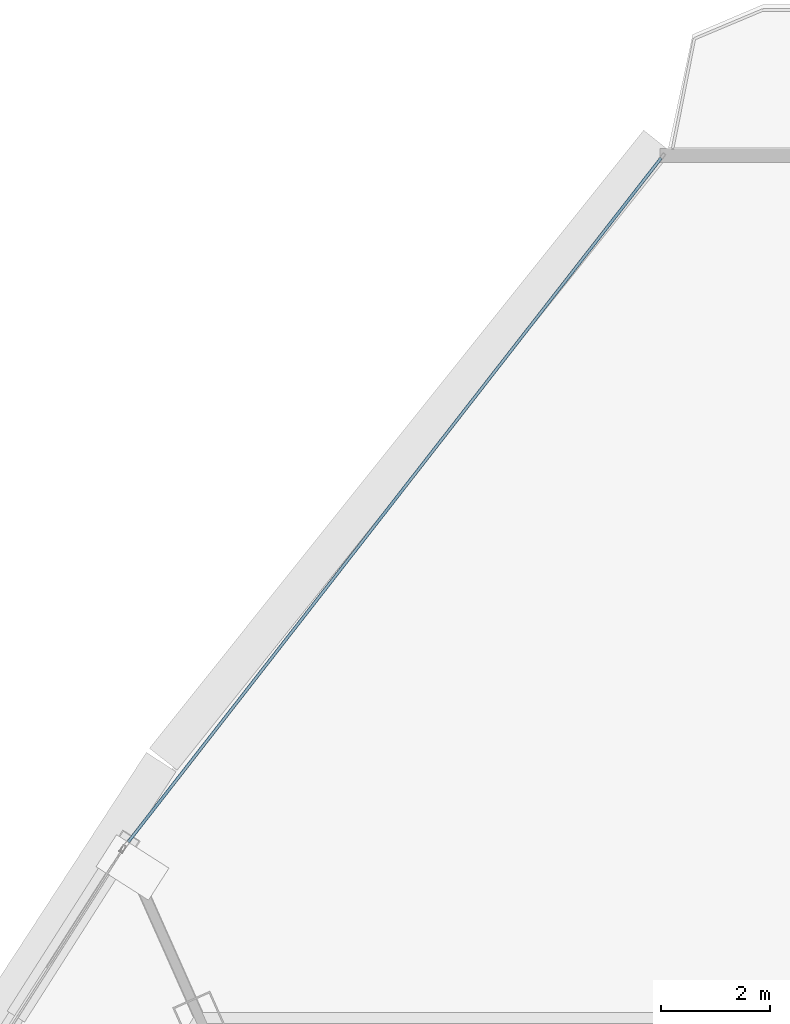
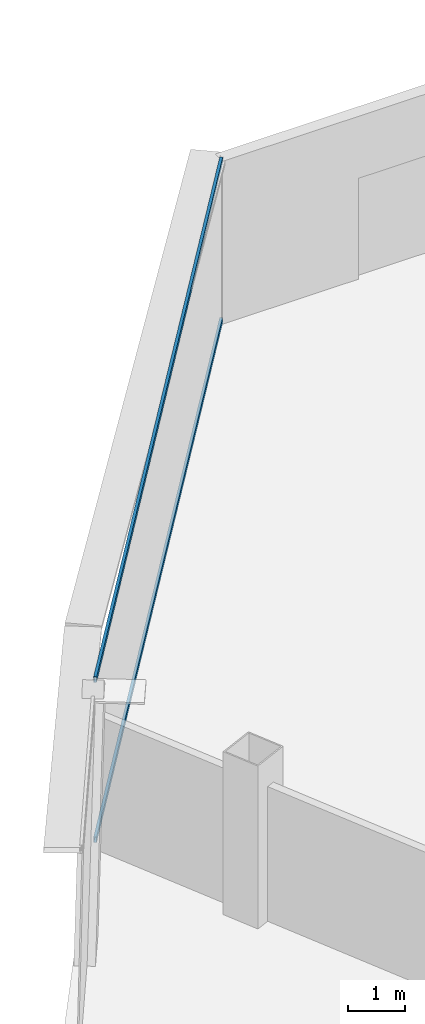
# One storey, part 21 of 39: 2 members, 1 element without a shape of its own.
"""IFC4 building model written with IfcOpenShell, lengths in metres."""

from ifc_helpers import new_model, si_unit, direction, frame, origin, origin_2d, place, context, subcontext, project, spatial, hollow_rectangle, extrude, source, transform, mapped, material, layer, layer_set, material_profile, profile_set, type_object, element, aggregate, save


model = new_model("IFC4")

# Units and contexts
model_context = context("Model", 3, precision=1e-05, world=origin(), true_north=direction((0.0, 1.0)))
body_context = subcontext(model_context, "Body", "Model", "MODEL_VIEW")
ifc_project = project(units=[si_unit("LENGTHUNIT", "METRE"), si_unit("AREAUNIT", "SQUARE_METRE"), si_unit("VOLUMEUNIT", "CUBIC_METRE"), si_unit("PLANEANGLEUNIT", "RADIAN"), si_unit("MASSUNIT", "GRAM", prefix="KILO"), si_unit("THERMODYNAMICTEMPERATUREUNIT", "KELVIN"), si_unit("POWERUNIT", "WATT")], contexts=[model_context])

# Site, building, storey
site_placement = place(None, origin())
site = spatial("IfcSite", under=ifc_project, at=site_placement, CompositionType="ELEMENT")
building_placement = place(site_placement, origin())
building = spatial("IfcBuilding", under=site, at=building_placement, Name="Yunzhuo Pagoda Commons", CompositionType="ELEMENT")
storey_placement = place(building_placement, frame((0.0, 0.0, 285.02001953125)))
storey = spatial("IfcBuildingStorey", under=building, at=storey_placement, Name="L71", CompositionType="ELEMENT", Elevation=285.02001953125)

# Curtain wall, members
ifc_material = material(Name="Anodized aluminium 6063-T6", Category="aluminium")
ifc_layer = layer(ifc_material, 0.139892578125)
ifc_layer_set = layer_set([ifc_layer], Name="Anodized aluminium 6063-T6")
curtain_wall_type = type_object("IfcCurtainWallType", Name="CW-HI High-Zone Ribbon Curtain Wall", PredefinedType="NOTDEFINED", material=ifc_layer_set)
curtain_wall_placement = place(storey_placement, origin())
curtain_wall = element("IfcCurtainWall", 1, at=curtain_wall_placement, inside=storey, type_object=curtain_wall_type, Name="L71 curtain wall CW-L71-F3B1", PredefinedType="NOTDEFINED")
ifc_material_profile = material_profile(ifc_material, hollow_rectangle(XDim=0.054931640625, YDim=0.1201171875, WallThickness=0.00341796875, at=origin_2d()), Name="Anodized aluminium 6063-T6")
ifc_profile_set = profile_set([ifc_material_profile], Name="Anodized aluminium 6063-T6")
member_type = type_object("IfcMemberType", Name="CW-HI-T Transom RHS 120x55x3.5", PredefinedType="USERDEFINED", material=ifc_profile_set)
shared_shape = source(origin(), body_context, "Body", "SweptSolid", [
    extrude(hollow_rectangle(XDim=0.054931640625, YDim=0.1201171875, WallThickness=0.00341796875, at=origin_2d()), origin(), (0.0, 0.0, 1.0), 15.966064453125),
])
member_1_placement = place(storey_placement, frame((44.385986328125, 76.745849609375, 0.027587890625), z_axis=(-0.61466551627, -0.788787869524, 0.0), x_axis=(0.788787869524, -0.61466551627, 0.0)))
member_1 = element("IfcMember", 2, at=member_1_placement, type_object=member_type, Name="CW transom 1.1", ObjectType="TRANSOM", PredefinedType="USERDEFINED", context=body_context, shape_type="MappedRepresentation", body=[
    mapped(shared_shape, transform((0.0, 0.0, 0.0), scale=1.0)),
])
member_2_placement = place(storey_placement, frame((44.385986328125, 76.745849609375, 3.4423828125), z_axis=(-0.61466551627, -0.788787869524, 0.0), x_axis=(0.788787869524, -0.61466551627, 0.0)))
member_2 = element("IfcMember", 3, at=member_2_placement, type_object=member_type, Name="CW transom 1.2", ObjectType="TRANSOM", PredefinedType="USERDEFINED", context=body_context, shape_type="MappedRepresentation", body=[
    mapped(shared_shape, transform((0.0, 0.0, 0.0), scale=1.0)),
])
aggregate(curtain_wall, [member_1, member_2])

save(model, "model.ifc")
